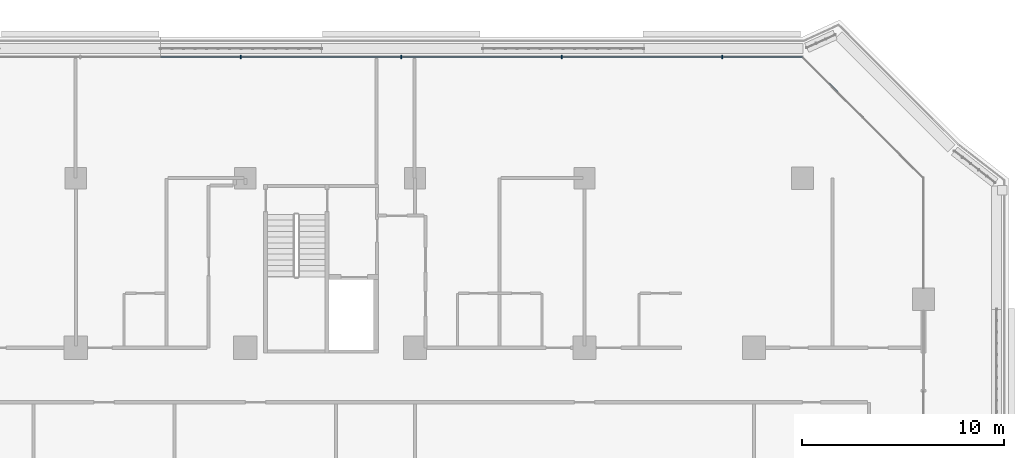
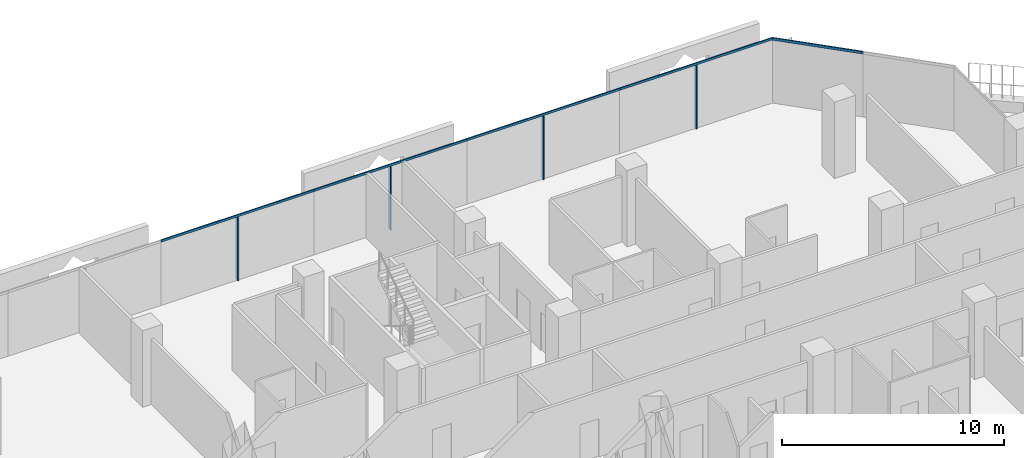
# One storey, part 9 of 25: 9 members, 2 elements without a shape of their own.
"""IFC4 building model written with IfcOpenShell, lengths in metres."""

from ifc_helpers import new_model, si_unit, direction, frame, origin, origin_2d, place, context, subcontext, project, spatial, rectangle, extrude, material, layer, layer_set, material_profile, profile_set, type_object, element, aggregate, save


model = new_model("IFC4")

# Units and contexts
model_context = context("Model", 3, precision=1e-05, world=origin(), true_north=direction((0.0, 1.0)))
body_context = subcontext(model_context, "Body", "Model", "MODEL_VIEW")
ifc_project = project(units=[si_unit("LENGTHUNIT", "METRE"), si_unit("AREAUNIT", "SQUARE_METRE"), si_unit("VOLUMEUNIT", "CUBIC_METRE"), si_unit("PLANEANGLEUNIT", "RADIAN"), si_unit("MASSUNIT", "GRAM", prefix="KILO")], contexts=[model_context])

# Site, building, storey
site_placement = place(None, origin())
site = spatial("IfcSite", under=ifc_project, at=site_placement, CompositionType="ELEMENT")
building_placement = place(site_placement, origin())
building = spatial("IfcBuilding", under=site, at=building_placement, Name="Kawkab Arch Medical Tower", CompositionType="ELEMENT")
storey_placement = place(building_placement, frame((0.0, 0.0, 136.60009765625)))
storey = spatial("IfcBuildingStorey", under=building, at=storey_placement, Name="L31", CompositionType="ELEMENT", Elevation=136.60009765625)

# Curtain wall, members
ifc_material_1 = material(Name="Bronze anodised aluminium curtain wall frame", Category="aluminium")
ifc_layer_1 = layer(ifc_material_1, 0.159912109375)
ifc_layer_set_1 = layer_set([ifc_layer_1], Name="Bronze anodised aluminium curtain wall frame")
curtain_wall_type_1 = type_object("IfcCurtainWallType", Name="CW1 ward curtain wall", PredefinedType="NOTDEFINED", material=ifc_layer_set_1)
placement = place(storey_placement, origin())
curtain_wall_1 = element("IfcCurtainWall", 1, at=placement, inside=storey, type_object=curtain_wall_type_1, Name="CW1 Ward curtain wall R11", PredefinedType="NOTDEFINED")
ifc_material_2 = material(Name="Bronze anodised aluminium curtain wall frame", Category="aluminium")
ifc_material_profile_1 = material_profile(ifc_material_2, rectangle(XDim=0.179931640625, YDim=0.06005859375, at=origin_2d()), Name="AL 60x180")
ifc_profile_set_1 = profile_set([ifc_material_profile_1], Name="Bronze anodised aluminium curtain wall frame")
member_type_1 = type_object("IfcMemberType", Name="CW1 mullion 60 x 180", PredefinedType="MULLION", material=ifc_profile_set_1)
member_1_placement = place(storey_placement, frame((65.625, 6.0, 0.0), z_axis=(0.0, 0.0, 1.0), x_axis=(0.0, -1.0, 0.0)))
member_1 = element("IfcMember", 2, at=member_1_placement, type_object=member_type_1, Name="CW1 mullion 1.1", PredefinedType="MULLION", context=body_context, shape_type="SweptSolid", body=[
    extrude(rectangle(XDim=0.179931640625, YDim=0.06005859375, at=origin_2d()), origin(), (0.0, 0.0, 1.0), 3.47998046875),
])
member_2_placement = place(storey_placement, frame((57.675048828125, 6.0, 0.0), z_axis=(0.0, 0.0, 1.0), x_axis=(0.0, -1.0, 0.0)))
member_2 = element("IfcMember", 3, at=member_2_placement, type_object=member_type_1, Name="CW1 mullion 2.1", PredefinedType="MULLION", context=body_context, shape_type="SweptSolid", body=[
    extrude(rectangle(XDim=0.179931640625, YDim=0.06005859375, at=origin_2d()), origin(), (0.0, 0.0, 1.0), 3.47998046875),
])
member_3_placement = place(storey_placement, frame((49.72509765625, 6.0, 0.0), z_axis=(0.0, 0.0, 1.0), x_axis=(0.0, -1.0, 0.0)))
member_3 = element("IfcMember", 4, at=member_3_placement, type_object=member_type_1, Name="CW1 mullion 3.1", PredefinedType="MULLION", context=body_context, shape_type="SweptSolid", body=[
    extrude(rectangle(XDim=0.179931640625, YDim=0.06005859375, at=origin_2d()), origin(), (0.0, 0.0, 1.0), 3.47998046875),
])
member_4_placement = place(storey_placement, frame((41.77490234375, 6.0, 0.0), z_axis=(0.0, 0.0, 1.0), x_axis=(0.0, -1.0, 0.0)))
member_4 = element("IfcMember", 5, at=member_4_placement, type_object=member_type_1, Name="CW1 mullion 4.1", PredefinedType="MULLION", context=body_context, shape_type="SweptSolid", body=[
    extrude(rectangle(XDim=0.179931640625, YDim=0.06005859375, at=origin_2d()), origin(), (0.0, 0.0, 1.0), 3.47998046875),
])
ifc_material_3 = material(Name="Bronze anodised aluminium curtain wall frame", Category="aluminium")
ifc_material_profile_2 = material_profile(ifc_material_3, rectangle(XDim=0.06005859375, YDim=0.1201171875, at=origin_2d()), Name="AL 60x120")
ifc_profile_set_2 = profile_set([ifc_material_profile_2], Name="Bronze anodised aluminium curtain wall frame")
member_type_2 = type_object("IfcMemberType", Name="CW1 transom 120 x 60", PredefinedType="USERDEFINED", material=ifc_profile_set_2)
member_5_placement = place(storey_placement, frame((69.60009765625, 6.0, 3.539794921875), z_axis=(-1.0, 0.0, 0.0), x_axis=(0.0, -1.0, 0.0)))
member_5 = element("IfcMember", 6, at=member_5_placement, type_object=member_type_2, Name="CW1 transom 1", ObjectType="TRANSOM", PredefinedType="USERDEFINED", context=body_context, shape_type="SweptSolid", body=[
    extrude(rectangle(XDim=0.06005859375, YDim=0.1201171875, at=origin_2d()), origin(), (0.0, 0.0, 1.0), 7.9501953125),
])
member_6_placement = place(storey_placement, frame((61.64990234375, 6.0, 3.539794921875), z_axis=(-1.0, 0.0, 0.0), x_axis=(0.0, -1.0, 0.0)))
member_6 = element("IfcMember", 7, at=member_6_placement, type_object=member_type_2, Name="CW1 transom 2", ObjectType="TRANSOM", PredefinedType="USERDEFINED", context=body_context, shape_type="SweptSolid", body=[
    extrude(rectangle(XDim=0.06005859375, YDim=0.1201171875, at=origin_2d()), origin(), (0.0, 0.0, 1.0), 7.949951171875),
])
member_7_placement = place(storey_placement, frame((53.699951171875, 6.0, 3.539794921875), z_axis=(-1.0, 0.0, 0.0), x_axis=(0.0, -1.0, 0.0)))
member_7 = element("IfcMember", 8, at=member_7_placement, type_object=member_type_2, Name="CW1 transom 3", ObjectType="TRANSOM", PredefinedType="USERDEFINED", context=body_context, shape_type="SweptSolid", body=[
    extrude(rectangle(XDim=0.06005859375, YDim=0.1201171875, at=origin_2d()), origin(), (0.0, 0.0, 1.0), 7.949951171875),
])
member_8_placement = place(storey_placement, frame((45.75, 6.0, 3.539794921875), z_axis=(-1.0, 0.0, 0.0), x_axis=(0.0, -1.0, 0.0)))
member_8 = element("IfcMember", 9, at=member_8_placement, type_object=member_type_2, Name="CW1 transom 4", ObjectType="TRANSOM", PredefinedType="USERDEFINED", context=body_context, shape_type="SweptSolid", body=[
    extrude(rectangle(XDim=0.06005859375, YDim=0.1201171875, at=origin_2d()), origin(), (0.0, 0.0, 1.0), 7.949951171875),
])
aggregate(curtain_wall_1, [member_5, member_1, member_6, member_2, member_7, member_3, member_8, member_4])

# Curtain wall, member
ifc_material_4 = material(Name="Bronze anodised aluminium curtain wall frame", Category="aluminium")
ifc_layer_2 = layer(ifc_material_4, 0.159912109375)
ifc_layer_set_2 = layer_set([ifc_layer_2], Name="Bronze anodised aluminium curtain wall frame")
curtain_wall_type_2 = type_object("IfcCurtainWallType", Name="CW2 chamfer curtain wall", PredefinedType="NOTDEFINED", material=ifc_layer_set_2)
curtain_wall_2 = element("IfcCurtainWall", 10, at=placement, inside=storey, type_object=curtain_wall_type_2, Name="CW2 Chamfer curtain wall R10", PredefinedType="NOTDEFINED")
ifc_material_5 = material(Name="Bronze anodised aluminium curtain wall frame", Category="aluminium")
ifc_material_profile_3 = material_profile(ifc_material_5, rectangle(XDim=0.06005859375, YDim=0.139892578125, at=origin_2d()), Name="AL 60x140")
ifc_profile_set_3 = profile_set([ifc_material_profile_3], Name="Bronze anodised aluminium curtain wall frame")
member_type_3 = type_object("IfcMemberType", Name="CW2 transom 140 x 60", PredefinedType="USERDEFINED", material=ifc_profile_set_3)
member_9_placement = place(storey_placement, frame((72.60009765625, 3.0, 3.52978515625), z_axis=(-0.707106781187, 0.707106781187, 0.0), x_axis=(-0.707106781187, -0.707106781187, 0.0)))
member_9 = element("IfcMember", 11, at=member_9_placement, type_object=member_type_3, Name="CW2 transom 2", ObjectType="TRANSOM", PredefinedType="USERDEFINED", context=body_context, shape_type="SweptSolid", body=[
    extrude(rectangle(XDim=0.06005859375, YDim=0.139892578125, at=origin_2d()), origin(), (0.0, 0.0, 1.0), 4.24267578125),
])
aggregate(curtain_wall_2, [member_9])

save(model, "model.ifc")
